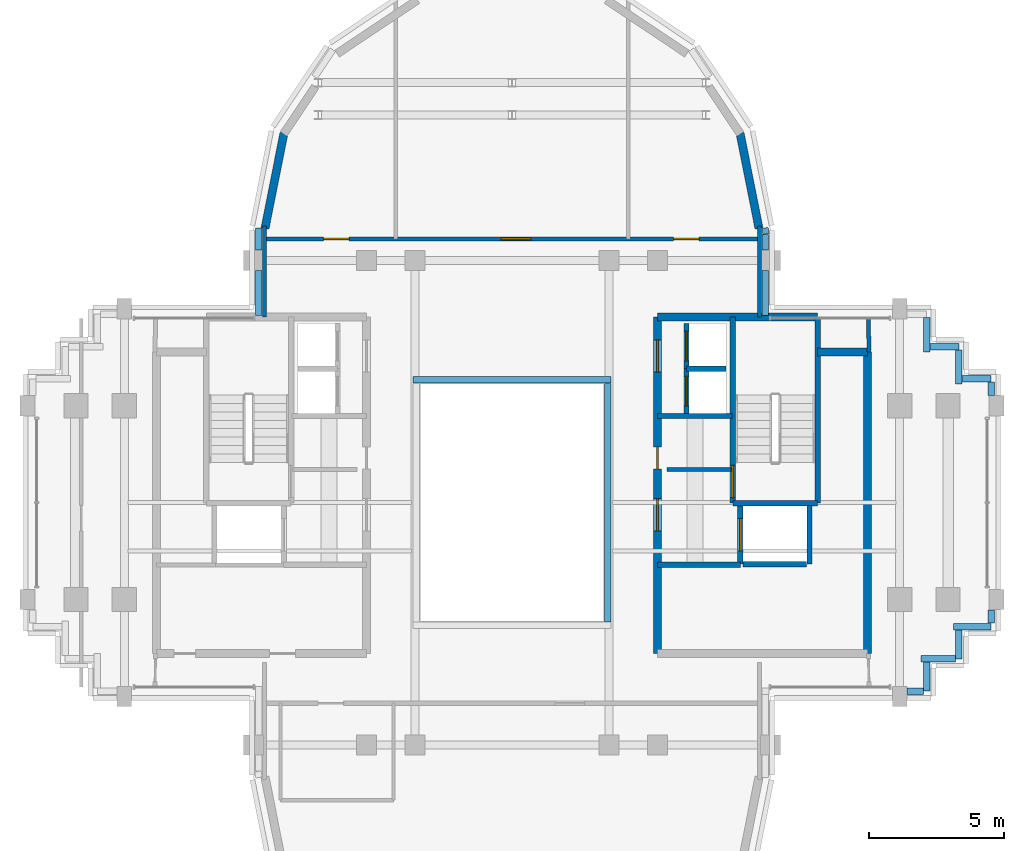
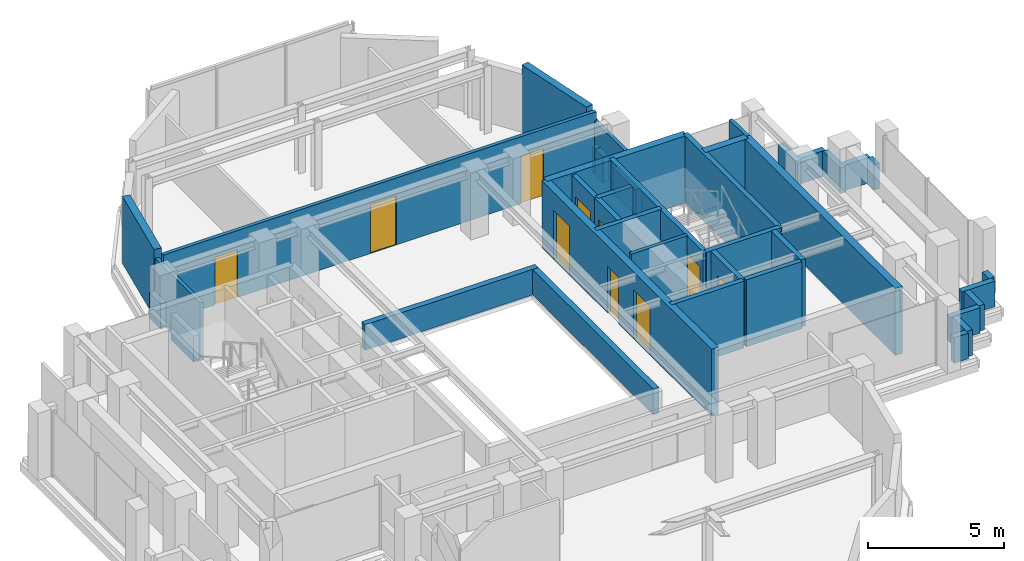
# One storey, part 9 of 12: 40 walls, 10 doors, 10 openings.
"""IFC4 building model written with IfcOpenShell, lengths in metres."""

from ifc_helpers import new_model, si_unit, direction, frame, frame_2d, origin, place, context, subcontext, project, spatial, rectangle, extrude, source, transform, mapped, material, layer, layer_set, type_object, element, fill, save


model = new_model("IFC4")

# Units and contexts
model_context = context("Model", 3, precision=1e-05, world=origin(), true_north=direction((0.0, 1.0)))
body_context = subcontext(model_context, "Body", "Model", "MODEL_VIEW")
ifc_project = project(units=[si_unit("LENGTHUNIT", "METRE"), si_unit("AREAUNIT", "SQUARE_METRE"), si_unit("VOLUMEUNIT", "CUBIC_METRE"), si_unit("PLANEANGLEUNIT", "RADIAN"), si_unit("MASSUNIT", "GRAM", prefix="KILO")], contexts=[model_context])

# Site, building, storey
site_placement = place(None, origin())
site = spatial("IfcSite", under=ifc_project, at=site_placement, CompositionType="ELEMENT")
building_placement = place(site_placement, origin())
building = spatial("IfcBuilding", under=site, at=building_placement, Name="Keilestroom Media Tower", CompositionType="ELEMENT")
storey_placement = place(building_placement, frame((0.0, 0.0, 249.199951171875)))
storey = spatial("IfcBuildingStorey", under=building, at=storey_placement, Name="L69", CompositionType="ELEMENT", Elevation=249.199951171875)

# Walls
ifc_material_1 = material(Name="Precast concrete C40/50", Category="concrete")
ifc_layer_1 = layer(ifc_material_1, 0.300048828125)
ifc_layer_set_1 = layer_set([ifc_layer_1], Name="Precast concrete C40/50")
wall_type_1 = type_object("IfcWallType", Name="Exterior-Masonry-Spandrel-Wall-300", PredefinedType="SOLIDWALL", material=ifc_layer_set_1)
for number, where, z_axis, x_axis, name in (
    (1, (9.1748046875, 10.185302734375, 0.0), (0.0, 0.0, 1.0), (-0.195114232679, 0.980780523974, 0.0), "L69 Lobe Facet Precast Frame Wall 01"),
    (2, (-8.470703125, 13.724609375, 0.0), (0.0, 0.0, 1.0), (-0.195114232679, -0.980780523974, 0.0), "L69 Lobe Facet Precast Frame Wall 06"),
):
    element("IfcWall", number, at=place(storey_placement, frame(where, z_axis=z_axis, x_axis=x_axis)), inside=storey, type_object=wall_type_1, Name=name, PredefinedType="SOLIDWALL", context=body_context, shape_type="SweptSolid", body=[
        extrude(rectangle(XDim=3.608642578125, YDim=0.300048828125, at=frame_2d((1.80419921875, 0.0))), origin(), (0.0, 0.0, 1.0), 3.010009765625),
    ])
ifc_material_2 = material(Name="Gypsum Plasterboard & Steel Stud", Category="steel")
ifc_layer_2 = layer(ifc_material_2, 0.14990234375)
ifc_layer_set_2 = layer_set([ifc_layer_2], Name="Gypsum Plasterboard & Steel Stud")
wall_type_2 = type_object("IfcWallType", Name="Interior-Partition-Wall-150", PredefinedType="PARTITIONING", material=ifc_layer_set_2)
wall_1_placement = place(storey_placement, frame((5.75, 1.239990234375, 0.0), z_axis=(0.0, 0.0, 1.0), x_axis=(1.0, 0.0, 0.0)))
element("IfcWall", 3, at=wall_1_placement, inside=storey, type_object=wall_type_2, Name="L69 Interior Wall WP-L69-FFE-TOP", PredefinedType="PARTITIONING", context=body_context, shape_type="SweptSolid", body=[
    extrude(rectangle(XDim=2.389892578125, YDim=0.14990234375, at=frame_2d((1.19482421875, 0.0))), origin(), (0.0, 0.0, 1.0), 3.010009765625),
])

# Wall, openings, doors
wall_2_placement = place(storey_placement, frame((-9.199951171875, 9.800048828125, 0.0), z_axis=(0.0, 0.0, 1.0), x_axis=(1.0, 0.0, 0.0)))
wall_2 = element("IfcWall", 4, at=wall_2_placement, inside=storey, type_object=wall_type_2, Name="L69 Interior Wall WP-L69-NL-BASE", PredefinedType="PARTITIONING", context=body_context, shape_type="SweptSolid", body=[
    extrude(rectangle(XDim=18.39990234375, YDim=0.14990234375, at=frame_2d((9.199951171875, 0.0))), origin(), (0.0, 0.0, 1.0), 3.010009765625),
])
opening_1_placement = place(wall_2_placement, frame((2.199951171875, 0.0, 0.0)))
opening_1 = element("IfcOpeningElement", 5, at=opening_1_placement, cuts=wall_2, Name="Opening DI-03", PredefinedType="OPENING", context=body_context, shape_type="SweptSolid", body=[
    extrude(rectangle(XDim=0.949951171875, YDim=2.14990234375, at=frame_2d((0.47509765625, 1.074951171875))), frame((0.0, 0.0849609375, 0.0), z_axis=(0.0, -1.0, 0.0), x_axis=(1.0, 0.0, 0.0)), (0.0, 0.0, 1.0), 0.169921875),
])
opening_2_placement = place(wall_2_placement, frame((8.800048828125, 0.0, 0.0)))
opening_2 = element("IfcOpeningElement", 6, at=opening_2_placement, cuts=wall_2, Name="Opening DI-04", PredefinedType="OPENING", context=body_context, shape_type="SweptSolid", body=[
    extrude(rectangle(XDim=1.10009765625, YDim=2.199951171875, at=frame_2d((0.550048828125, 1.10009765625))), frame((0.0, 0.0849609375, 0.0), z_axis=(0.0, -1.0, 0.0), x_axis=(1.0, 0.0, 0.0)), (0.0, 0.0, 1.0), 0.169921875),
])
opening_3_placement = place(wall_2_placement, frame((15.199951171875, 0.0, 0.0)))
opening_3 = element("IfcOpeningElement", 7, at=opening_3_placement, cuts=wall_2, Name="Opening DI-03", PredefinedType="OPENING", context=body_context, shape_type="SweptSolid", body=[
    extrude(rectangle(XDim=0.949951171875, YDim=2.14990234375, at=frame_2d((0.47509765625, 1.074951171875))), frame((0.0, 0.0849609375, 0.0), z_axis=(0.0, -1.0, 0.0), x_axis=(1.0, 0.0, 0.0)), (0.0, 0.0, 1.0), 0.169921875),
])
ifc_material_3 = material(Name="Lacquered European Oak Leaf", Category="wood")
door_type_1 = type_object("IfcDoorType", Name="Interior-Room-And-Suite-Door-DI-03", OperationType="NOTDEFINED", PredefinedType="DOOR", material=ifc_material_3)
shared_shape_1 = source(origin(), body_context, "Body", "SweptSolid", [
    extrude(rectangle(XDim=0.949951171875, YDim=2.14990234375, at=frame_2d((0.47509765625, 1.074951171875))), frame((0.0, 0.02490234375, 0.0), z_axis=(0.0, -1.0, 0.0), x_axis=(1.0, 0.0, 0.0)), (0.0, 0.0, 1.0), 0.050048828125),
])
door_1_placement = place(opening_1_placement, origin())
door_1 = element("IfcDoor", 8, at=door_1_placement, inside=storey, type_object=door_type_1, Name="L69 Interior Door DI-L69-DNL-W", OperationType="SINGLE_SWING_LEFT", OverallHeight=2.14990234375, OverallWidth=0.949951171875, PredefinedType="DOOR", context=body_context, shape_type="MappedRepresentation", body=[
    mapped(shared_shape_1, transform((0.0, 0.0, 0.0), x_axis=(1.0, 0.0, 0.0), y_axis=(0.0, 1.0, 0.0), z_axis=(0.0, 0.0, 1.0), scale=1.0)),
])
fill(opening_1, door_1)
door_2_placement = place(opening_3_placement, origin())
door_2 = element("IfcDoor", 9, at=door_2_placement, inside=storey, type_object=door_type_1, Name="L69 Interior Door DI-L69-DNL-E", OperationType="SINGLE_SWING_LEFT", OverallHeight=2.14990234375, OverallWidth=0.949951171875, PredefinedType="DOOR", context=body_context, shape_type="MappedRepresentation", body=[
    mapped(shared_shape_1, transform((0.0, 0.0, 0.0), x_axis=(1.0, 0.0, 0.0), y_axis=(0.0, 1.0, 0.0), z_axis=(0.0, 0.0, 1.0), scale=1.0)),
])
fill(opening_3, door_2)
ifc_material_4 = material(Name="Acoustic Glazed Aluminium Leaf", Category="aluminium")
door_type_2 = type_object("IfcDoorType", Name="Interior-Room-And-Suite-Door-DI-04", OperationType="NOTDEFINED", PredefinedType="DOOR", material=ifc_material_4)
shared_shape_2 = source(origin(), body_context, "Body", "SweptSolid", [
    extrude(rectangle(XDim=1.10009765625, YDim=2.199951171875, at=frame_2d((0.550048828125, 1.10009765625))), frame((0.0, 0.02490234375, 0.0), z_axis=(0.0, -1.0, 0.0), x_axis=(1.0, 0.0, 0.0)), (0.0, 0.0, 1.0), 0.050048828125),
])
door_3_placement = place(opening_2_placement, origin())
door_3 = element("IfcDoor", 10, at=door_3_placement, inside=storey, type_object=door_type_2, Name="L69 Interior Door DI-L69-DNL-C", OperationType="SINGLE_SWING_RIGHT", OverallHeight=2.199951171875, OverallWidth=1.10009765625, PredefinedType="DOOR", context=body_context, shape_type="MappedRepresentation", body=[
    mapped(shared_shape_2, transform((0.0, 0.0, 0.0), x_axis=(1.0, 0.0, 0.0), y_axis=(0.0, 1.0, 0.0), z_axis=(0.0, 0.0, 1.0), scale=1.0)),
])
fill(opening_2, door_3)

# Walls
for number, where, z_axis, x_axis, name in (
    (11, (-9.199951171875, 6.89990234375, 0.0), (0.0, 0.0, 1.0), (0.0, 1.0, 0.0), "L69 Interior Wall WP-L69-NL-CHKW"),
    (12, (9.199951171875, 6.89990234375, 0.0), (0.0, 0.0, 1.0), (0.0, 1.0, 0.0), "L69 Interior Wall WP-L69-NL-CHKE"),
):
    element("IfcWall", number, at=place(storey_placement, frame(where, z_axis=z_axis, x_axis=x_axis)), inside=storey, type_object=wall_type_2, Name=name, PredefinedType="PARTITIONING", context=body_context, shape_type="SweptSolid", body=[
        extrude(rectangle(XDim=3.380126953125, YDim=0.14990234375, at=frame_2d((1.68994140625, 0.0))), origin(), (0.0, 0.0, 1.0), 2.610107421875),
    ])
wall_3_placement = place(storey_placement, frame((13.260009765625, 5.60009765625, 0.0), z_axis=(0.0, 0.0, 1.0), x_axis=(-0.016013571389, 0.999871774545, 0.0)))
element("IfcWall", 13, at=wall_3_placement, inside=storey, type_object=wall_type_2, Name="L69 Interior Wall WP-L69-EA-ENTN", PredefinedType="PARTITIONING", context=body_context, shape_type="SweptSolid", body=[
    extrude(rectangle(XDim=1.250244140625, YDim=0.14990234375, at=frame_2d((0.625, 0.0))), origin(), (0.0, 0.0, 1.0), 3.010009765625),
])
ifc_material_5 = material(Name="Concrete C50/60", Category="concrete")
ifc_layer_3 = layer(ifc_material_5, 0.300048828125)
ifc_layer_set_3 = layer_set([ifc_layer_3], Name="Concrete C50/60")
wall_type_3 = type_object("IfcWallType", Name="Reinforced-Concrete-Core-Shear-Wall-300", PredefinedType="SHEAR", material=ifc_layer_set_3)
wall_4_placement = place(storey_placement, frame((13.199951171875, -5.60009765625, 0.0), z_axis=(0.0, 0.0, 1.0), x_axis=(0.0, 1.0, 0.0)))
element("IfcWall", 14, at=wall_4_placement, inside=storey, type_object=wall_type_3, Name="L69 Core Shear Wall WL-L69-CORE-E-OUT", PredefinedType="SHEAR", context=body_context, shape_type="SweptSolid", body=[
    extrude(rectangle(XDim=11.2001953125, YDim=0.300048828125, at=frame_2d((5.60009765625, 0.0))), origin(), (0.0, 0.0, 1.0), 3.010009765625),
])

# Wall, openings, doors
wall_5_placement = place(storey_placement, frame((5.39990234375, -5.60009765625, 0.0), z_axis=(0.0, 0.0, 1.0), x_axis=(0.0, 1.0, 0.0)))
wall_5 = element("IfcWall", 15, at=wall_5_placement, inside=storey, type_object=wall_type_3, Name="L69 Core Shear Wall WL-L69-CORE-E-IN", PredefinedType="SHEAR", context=body_context, shape_type="SweptSolid", body=[
    extrude(rectangle(XDim=12.5, YDim=0.300048828125, at=frame_2d((6.25, 0.0))), origin(), (0.0, 0.0, 1.0), 3.010009765625),
])
opening_4_placement = place(wall_5_placement, frame((4.550048828125, 0.0, 0.0)))
opening_4 = element("IfcOpeningElement", 16, at=opening_4_placement, cuts=wall_5, Name="Opening DI-02", PredefinedType="OPENING", context=body_context, shape_type="SweptSolid", body=[
    extrude(rectangle(XDim=1.199951171875, YDim=2.199951171875, at=frame_2d((0.60009765625, 1.10009765625))), frame((0.0, 0.16015625, 0.0), z_axis=(0.0, -1.0, 0.0), x_axis=(1.0, 0.0, 0.0)), (0.0, 0.0, 1.0), 0.320068359375),
])
opening_5_placement = place(wall_5_placement, frame((10.449951171875, 0.0, 0.0)))
opening_5 = element("IfcOpeningElement", 17, at=opening_5_placement, cuts=wall_5, Name="Opening DI-02", PredefinedType="OPENING", context=body_context, shape_type="SweptSolid", body=[
    extrude(rectangle(XDim=1.199951171875, YDim=2.199951171875, at=frame_2d((0.60009765625, 1.10009765625))), frame((0.0, 0.16015625, 0.0), z_axis=(0.0, -1.0, 0.0), x_axis=(1.0, 0.0, 0.0)), (0.0, 0.0, 1.0), 0.320068359375),
])
opening_6_placement = place(wall_5_placement, frame((6.860107421875, 0.0, 0.0)))
opening_6 = element("IfcOpeningElement", 18, at=opening_6_placement, cuts=wall_5, Name="Opening DI-06", PredefinedType="OPENING", context=body_context, shape_type="SweptSolid", body=[
    extrude(rectangle(XDim=0.800048828125, YDim=2.10009765625, at=frame_2d((0.39990234375, 1.050048828125))), frame((0.0, 0.16015625, 0.0), z_axis=(0.0, -1.0, 0.0), x_axis=(1.0, 0.0, 0.0)), (0.0, 0.0, 1.0), 0.320068359375),
])
ifc_material_6 = material(Name="Powder-Coated Steel Fire Leaf", Category="steel")
door_type_3 = type_object("IfcDoorType", Name="Interior-Compartment-Fire-Door-DI-02", OperationType="NOTDEFINED", PredefinedType="DOOR", material=ifc_material_6)
shared_shape_3 = source(origin(), body_context, "Body", "SweptSolid", [
    extrude(rectangle(XDim=1.199951171875, YDim=2.199951171875, at=frame_2d((0.60009765625, 1.10009765625))), frame((0.0, 0.02490234375, 0.0), z_axis=(0.0, -1.0, 0.0), x_axis=(1.0, 0.0, 0.0)), (0.0, 0.0, 1.0), 0.050048828125),
])
door_4_placement = place(opening_4_placement, origin())
door_4 = element("IfcDoor", 19, at=door_4_placement, inside=storey, type_object=door_type_3, Name="L69 E Firefighting Lobby Door", OperationType="SINGLE_SWING_LEFT", OverallHeight=2.199951171875, OverallWidth=1.199951171875, PredefinedType="DOOR", context=body_context, shape_type="MappedRepresentation", body=[
    mapped(shared_shape_3, transform((0.0, 0.0, 0.0), x_axis=(1.0, 0.0, 0.0), y_axis=(0.0, 1.0, 0.0), z_axis=(0.0, 0.0, 1.0), scale=1.0)),
])
fill(opening_4, door_4)
door_5_placement = place(opening_5_placement, origin())
door_5 = element("IfcDoor", 20, at=door_5_placement, inside=storey, type_object=door_type_3, Name="L69 E High-Rise Lift Lobby Door", OperationType="SINGLE_SWING_RIGHT", OverallHeight=2.199951171875, OverallWidth=1.199951171875, PredefinedType="DOOR", context=body_context, shape_type="MappedRepresentation", body=[
    mapped(shared_shape_3, transform((0.0, 0.0, 0.0), x_axis=(1.0, 0.0, 0.0), y_axis=(0.0, 1.0, 0.0), z_axis=(0.0, 0.0, 1.0), scale=1.0)),
])
fill(opening_5, door_5)
ifc_material_7 = material(Name="Powder-Coated Steel Service Leaf", Category="steel")
door_type_4 = type_object("IfcDoorType", Name="Interior-Riser-Access-Door-DI-06", OperationType="NOTDEFINED", PredefinedType="DOOR", material=ifc_material_7)
shared_shape_4 = source(origin(), body_context, "Body", "SweptSolid", [
    extrude(rectangle(XDim=0.800048828125, YDim=2.10009765625, at=frame_2d((0.39990234375, 1.050048828125))), frame((0.0, 0.02490234375, 0.0), z_axis=(0.0, -1.0, 0.0), x_axis=(1.0, 0.0, 0.0)), (0.0, 0.0, 1.0), 0.050048828125),
])
door_6_placement = place(opening_6_placement, origin())
door_6 = element("IfcDoor", 21, at=door_6_placement, inside=storey, type_object=door_type_4, Name="L69 East Core Telecom Door", OperationType="SINGLE_SWING_RIGHT", OverallHeight=2.10009765625, OverallWidth=0.800048828125, PredefinedType="DOOR", context=body_context, shape_type="MappedRepresentation", body=[
    mapped(shared_shape_4, transform((0.0, 0.0, 0.0), x_axis=(1.0, 0.0, 0.0), y_axis=(0.0, 1.0, 0.0), z_axis=(0.0, 0.0, 1.0), scale=1.0)),
])
fill(opening_6, door_6)

# Walls
wall_6_placement = place(storey_placement, frame((5.39990234375, 6.89990234375, 0.0), z_axis=(0.0, 0.0, 1.0), x_axis=(1.0, 0.0, 0.0)))
element("IfcWall", 22, at=wall_6_placement, inside=storey, type_object=wall_type_3, Name="L69 Core Shear Wall WL-L69-CORE-E-N", PredefinedType="SHEAR", context=body_context, shape_type="SweptSolid", body=[
    extrude(rectangle(XDim=5.9560546875, YDim=0.300048828125, at=frame_2d((2.97802734375, 0.0))), origin(), (0.0, 0.0, 1.0), 3.010009765625),
])
wall_7_placement = place(storey_placement, frame((11.35595703125, 5.60009765625, 0.0), z_axis=(0.0, 0.0, 1.0), x_axis=(1.0, 0.0, 0.0)))
element("IfcWall", 23, at=wall_7_placement, inside=storey, type_object=wall_type_3, Name="L69 Core Shear Wall WL-L69-CNE-N", PredefinedType="SHEAR", context=body_context, shape_type="SweptSolid", body=[
    extrude(rectangle(XDim=1.843994140625, YDim=0.300048828125, at=frame_2d((0.921875, 0.0))), origin(), (0.0, 0.0, 1.0), 3.010009765625),
])
ifc_layer_4 = layer(ifc_material_5, 0.199951171875)
ifc_layer_set_4 = layer_set([ifc_layer_4], Name="Concrete C50/60")
wall_type_4 = type_object("IfcWallType", Name="Reinforced-Concrete-Shaft-Wall-200", PredefinedType="SOLIDWALL", material=ifc_layer_set_4)
wall_8_placement = place(storey_placement, frame((5.39990234375, 3.219970703125, 0.0), z_axis=(0.0, 0.0, 1.0), x_axis=(1.0, 0.0, 0.0)))
element("IfcWall", 24, at=wall_8_placement, inside=storey, type_object=wall_type_4, Name="L69 Core Shear Wall WL-L69-CORE-E-FFN", PredefinedType="SOLIDWALL", context=body_context, shape_type="SweptSolid", body=[
    extrude(rectangle(XDim=2.780029296875, YDim=0.199951171875, at=frame_2d((1.39013671875, 0.0))), origin(), (0.0, 0.0, 1.0), 3.010009765625),
])
wall_9_placement = place(storey_placement, frame((5.39990234375, -2.300048828125, 0.0), z_axis=(0.0, 0.0, 1.0), x_axis=(1.0, 0.0, 0.0)))
element("IfcWall", 25, at=wall_9_placement, inside=storey, type_object=wall_type_4, Name="L69 Core Shear Wall WL-L69-CORE-E-FFS", PredefinedType="SOLIDWALL", context=body_context, shape_type="SweptSolid", body=[
    extrude(rectangle(XDim=3.080078125, YDim=0.199951171875, at=frame_2d((1.5400390625, 0.0))), origin(), (0.0, 0.0, 1.0), 3.010009765625),
])

# Wall, opening, door
wall_10_placement = place(storey_placement, frame((8.2041015625, -0.01611328125, 0.0), z_axis=(0.0, 0.0, 1.0), x_axis=(0.0, 1.0, 0.0)))
wall_10 = element("IfcWall", 26, at=wall_10_placement, inside=storey, type_object=wall_type_4, Name="L69 Core Shear Wall WL-L69-STW-E-NEAR", PredefinedType="SOLIDWALL", context=body_context, shape_type="SweptSolid", body=[
    extrude(rectangle(XDim=6.916015625, YDim=0.199951171875, at=frame_2d((3.4580078125, 0.0))), origin(), (0.0, 0.0, 1.0), 3.010009765625),
])
opening_7_placement = place(wall_10_placement, frame((0.199951171875, 0.0, 0.0)))
opening_7 = element("IfcOpeningElement", 27, at=opening_7_placement, cuts=wall_10, Name="Opening DI-01S", PredefinedType="OPENING", context=body_context, shape_type="SweptSolid", body=[
    extrude(rectangle(XDim=1.199951171875, YDim=2.199951171875, at=frame_2d((0.60009765625, 1.10009765625))), frame((0.0, 0.10986328125, 0.0), z_axis=(0.0, -1.0, 0.0), x_axis=(1.0, 0.0, 0.0)), (0.0, 0.0, 1.0), 0.219970703125),
])
door_type_5 = type_object("IfcDoorType", Name="Interior-Stair-And-Core-Fire-Door-DI-01", OperationType="NOTDEFINED", PredefinedType="DOOR", material=ifc_material_6)
door_7_placement = place(opening_7_placement, origin())
door_7 = element("IfcDoor", 28, at=door_7_placement, inside=storey, type_object=door_type_5, Name="L69 Escape Stair ST-2 Fire Door", OperationType="SINGLE_SWING_RIGHT", OverallHeight=2.199951171875, OverallWidth=1.199951171875, PredefinedType="DOOR", context=body_context, shape_type="MappedRepresentation", body=[
    mapped(shared_shape_3, transform((0.0, 0.0, 0.0), x_axis=(1.0, 0.0, 0.0), y_axis=(0.0, 1.0, 0.0), z_axis=(0.0, 0.0, 1.0), scale=1.0)),
])
fill(opening_7, door_7)

# Walls
wall_11_placement = place(storey_placement, frame((11.35595703125, -0.01611328125, 0.0), z_axis=(0.0, 0.0, 1.0), x_axis=(0.0, 1.0, 0.0)))
element("IfcWall", 29, at=wall_11_placement, inside=storey, type_object=wall_type_4, Name="L69 Core Shear Wall WL-L69-STW-E-FAR", PredefinedType="SOLIDWALL", context=body_context, shape_type="SweptSolid", body=[
    extrude(rectangle(XDim=6.916015625, YDim=0.199951171875, at=frame_2d((3.4580078125, 0.0))), origin(), (0.0, 0.0, 1.0), 3.010009765625),
])
wall_12_placement = place(storey_placement, frame((8.2041015625, -0.01611328125, 0.0), z_axis=(0.0, 0.0, 1.0), x_axis=(1.0, 0.0, 0.0)))
element("IfcWall", 30, at=wall_12_placement, inside=storey, type_object=wall_type_4, Name="L69 Core Shear Wall WL-L69-STW-E-S", PredefinedType="SOLIDWALL", context=body_context, shape_type="SweptSolid", body=[
    extrude(rectangle(XDim=3.15185546875, YDim=0.199951171875, at=frame_2d((1.575927734375, 0.0))), origin(), (0.0, 0.0, 1.0), 3.010009765625),
])

# Wall, opening, door
wall_13_placement = place(storey_placement, frame((8.47998046875, -2.280029296875, 0.0), z_axis=(0.0, 0.0, 1.0), x_axis=(0.0, 1.0, 0.0)))
wall_13 = element("IfcWall", 31, at=wall_13_placement, inside=storey, type_object=wall_type_4, Name="L69 Core Shear Wall WL-L69-LSH-FFL-2-W", PredefinedType="SOLIDWALL", context=body_context, shape_type="SweptSolid", body=[
    extrude(rectangle(XDim=2.179931640625, YDim=0.199951171875, at=frame_2d((1.08984375, 0.0))), origin(), (0.0, 0.0, 1.0), 3.010009765625),
])
opening_8_placement = place(wall_13_placement, frame((0.489990234375, 0.0, 0.0)))
opening_8 = element("IfcOpeningElement", 32, at=opening_8_placement, cuts=wall_13, Name="Opening LD-02", PredefinedType="OPENING", context=body_context, shape_type="SweptSolid", body=[
    extrude(rectangle(XDim=1.199951171875, YDim=2.199951171875, at=frame_2d((0.60009765625, 1.10009765625))), frame((0.0, 0.10986328125, 0.0), z_axis=(0.0, -1.0, 0.0), x_axis=(1.0, 0.0, 0.0)), (0.0, 0.0, 1.0), 0.219970703125),
])
ifc_material_8 = material(Name="Brushed Stainless Steel Sliding Leaf", Category="steel")
door_type_6 = type_object("IfcDoorType", Name="Lift-Landing-Sliding-Door-LD-02", OperationType="SLIDING_TO_RIGHT", PredefinedType="DOOR", material=ifc_material_8)
door_8_placement = place(opening_8_placement, origin())
door_8 = element("IfcDoor", 33, at=door_8_placement, inside=storey, type_object=door_type_6, Name="L69 Lift FFL-2 Landing Sliding Door", OperationType="SLIDING_TO_RIGHT", OverallHeight=2.199951171875, OverallWidth=1.199951171875, PredefinedType="DOOR", context=body_context, shape_type="MappedRepresentation", body=[
    mapped(shared_shape_3, transform((0.0, 0.0, 0.0), x_axis=(1.0, 0.0, 0.0), y_axis=(0.0, 1.0, 0.0), z_axis=(0.0, 0.0, 1.0), scale=1.0)),
])
fill(opening_8, door_8)

# Walls
wall_14_placement = place(storey_placement, frame((11.050048828125, -2.280029296875, 0.0), z_axis=(0.0, 0.0, 1.0), x_axis=(0.0, 1.0, 0.0)))
element("IfcWall", 34, at=wall_14_placement, inside=storey, type_object=wall_type_4, Name="L69 Core Shear Wall WL-L69-LSH-FFL-2-E", PredefinedType="SOLIDWALL", context=body_context, shape_type="SweptSolid", body=[
    extrude(rectangle(XDim=2.179931640625, YDim=0.199951171875, at=frame_2d((1.08984375, 0.0))), origin(), (0.0, 0.0, 1.0), 3.010009765625),
])
wall_15_placement = place(storey_placement, frame((8.583984375, -2.280029296875, 0.0), z_axis=(0.0, 0.0, 1.0), x_axis=(1.0, 0.0, 0.0)))
element("IfcWall", 35, at=wall_15_placement, inside=storey, type_object=wall_type_4, Name="L69 Core Shear Wall WL-L69-LSH-FFL-2-S", PredefinedType="SOLIDWALL", context=body_context, shape_type="SweptSolid", body=[
    extrude(rectangle(XDim=2.362060546875, YDim=0.199951171875, at=frame_2d((1.18115234375, 0.0))), origin(), (0.0, 0.0, 1.0), 3.010009765625),
])

# Wall, opening, door
wall_16_placement = place(storey_placement, frame((6.47998046875, 3.300048828125, 0.0), z_axis=(0.0, 0.0, 1.0), x_axis=(0.0, 1.0, 0.0)))
wall_16 = element("IfcWall", 36, at=wall_16_placement, inside=storey, type_object=wall_type_4, Name="L69 Core Shear Wall WL-L69-LSH-PL-H3-W", PredefinedType="SOLIDWALL", context=body_context, shape_type="SweptSolid", body=[
    extrude(rectangle(XDim=1.679931640625, YDim=0.199951171875, at=frame_2d((0.83984375, 0.0))), origin(), (0.0, 0.0, 1.0), 3.010009765625),
])
opening_9_placement = place(wall_16_placement, frame((0.2900390625, 0.0, 0.0)))
opening_9 = element("IfcOpeningElement", 37, at=opening_9_placement, cuts=wall_16, Name="Opening LD-01", PredefinedType="OPENING", context=body_context, shape_type="SweptSolid", body=[
    extrude(rectangle(XDim=1.10009765625, YDim=2.199951171875, at=frame_2d((0.550048828125, 1.10009765625))), frame((0.0, 0.10986328125, 0.0), z_axis=(0.0, -1.0, 0.0), x_axis=(1.0, 0.0, 0.0)), (0.0, 0.0, 1.0), 0.219970703125),
])
door_type_7 = type_object("IfcDoorType", Name="Lift-Landing-Sliding-Door-LD-01", OperationType="SLIDING_TO_LEFT", PredefinedType="DOOR", material=ifc_material_8)
door_9_placement = place(opening_9_placement, origin())
door_9 = element("IfcDoor", 38, at=door_9_placement, inside=storey, type_object=door_type_7, Name="L69 Lift PL-H3 Landing Sliding Door", OperationType="SLIDING_TO_LEFT", OverallHeight=2.199951171875, OverallWidth=1.10009765625, PredefinedType="DOOR", context=body_context, shape_type="MappedRepresentation", body=[
    mapped(shared_shape_2, transform((0.0, 0.0, 0.0), x_axis=(1.0, 0.0, 0.0), y_axis=(0.0, 1.0, 0.0), z_axis=(0.0, 0.0, 1.0), scale=1.0)),
])
fill(opening_9, door_9)

# Wall
wall_17_placement = place(storey_placement, frame((6.47998046875, 4.97998046875, 0.0), z_axis=(0.0, 0.0, 1.0), x_axis=(1.0, 0.0, 0.0)))
element("IfcWall", 39, at=wall_17_placement, inside=storey, type_object=wall_type_4, Name="L69 Core Shear Wall WL-L69-LSH-PL-H3-N", PredefinedType="SOLIDWALL", context=body_context, shape_type="SweptSolid", body=[
    extrude(rectangle(XDim=1.469970703125, YDim=0.199951171875, at=frame_2d((0.73486328125, 0.0))), origin(), (0.0, 0.0, 1.0), 3.010009765625),
])

# Wall, opening, door
wall_18_placement = place(storey_placement, frame((6.47998046875, 4.97998046875, 0.0), z_axis=(0.0, 0.0, 1.0), x_axis=(0.0, 1.0, 0.0)))
wall_18 = element("IfcWall", 40, at=wall_18_placement, inside=storey, type_object=wall_type_4, Name="L69 Core Shear Wall WL-L69-LSH-PL-H4-W", PredefinedType="SOLIDWALL", context=body_context, shape_type="SweptSolid", body=[
    extrude(rectangle(XDim=1.669921875, YDim=0.199951171875, at=frame_2d((0.8349609375, 0.0))), origin(), (0.0, 0.0, 1.0), 3.010009765625),
])
opening_10_placement = place(wall_18_placement, frame((0.284912109375, 0.0, 0.0)))
opening_10 = element("IfcOpeningElement", 41, at=opening_10_placement, cuts=wall_18, Name="Opening LD-01", PredefinedType="OPENING", context=body_context, shape_type="SweptSolid", body=[
    extrude(rectangle(XDim=1.10009765625, YDim=2.199951171875, at=frame_2d((0.550048828125, 1.10009765625))), frame((0.0, 0.10986328125, 0.0), z_axis=(0.0, -1.0, 0.0), x_axis=(1.0, 0.0, 0.0)), (0.0, 0.0, 1.0), 0.219970703125),
])
door_10_placement = place(opening_10_placement, origin())
door_10 = element("IfcDoor", 42, at=door_10_placement, inside=storey, type_object=door_type_7, Name="L69 Lift PL-H4 Landing Sliding Door", OperationType="SLIDING_TO_LEFT", OverallHeight=2.199951171875, OverallWidth=1.10009765625, PredefinedType="DOOR", context=body_context, shape_type="MappedRepresentation", body=[
    mapped(shared_shape_2, transform((0.0, 0.0, 0.0), x_axis=(1.0, 0.0, 0.0), y_axis=(0.0, 1.0, 0.0), z_axis=(0.0, 0.0, 1.0), scale=1.0)),
])
fill(opening_10, door_10)

# Walls
ifc_layer_5 = layer(ifc_material_1, 0.239990234375)
ifc_layer_set_5 = layer_set([ifc_layer_5], Name="Precast concrete C40/50")
wall_type_5 = type_object("IfcWallType", Name="Roof-And-Terrace-Parapet-Wall-240", PredefinedType="PARAPET", material=ifc_layer_set_5)
wall_19_placement = place(storey_placement, frame((17.800048828125, -4.60009765625, 0.0), z_axis=(0.0, 0.0, 1.0), x_axis=(-1.0, 0.0, 0.0)))
element("IfcWall", 43, at=wall_19_placement, inside=storey, type_object=wall_type_5, Name="L69 Perimeter Edge Parapet Wall 01", PredefinedType="PARAPET", context=body_context, shape_type="SweptSolid", body=[
    extrude(rectangle(XDim=1.400146484375, YDim=0.239990234375, at=frame_2d((0.7001953125, 0.0))), origin(), (0.0, 0.0, 1.0), 1.150146484375),
])
wall_20_placement = place(storey_placement, frame((16.60009765625, -4.722900390625, 0.0), z_axis=(0.0, 0.0, 1.0), x_axis=(0.0, -1.0, 0.0)))
element("IfcWall", 44, at=wall_20_placement, inside=storey, type_object=wall_type_5, Name="L69 Perimeter Edge Parapet Wall 02", PredefinedType="PARAPET", context=body_context, shape_type="SweptSolid", body=[
    extrude(rectangle(XDim=1.0771484375, YDim=0.239990234375, at=frame_2d((0.53857421875, 0.0))), origin(), (0.0, 0.0, 1.0), 1.150146484375),
])
wall_21_placement = place(storey_placement, frame((16.47705078125, -5.800048828125, 0.0), z_axis=(0.0, 0.0, 1.0), x_axis=(-1.0, 0.0, 0.0)))
element("IfcWall", 45, at=wall_21_placement, inside=storey, type_object=wall_type_5, Name="L69 Perimeter Edge Parapet Wall 03", PredefinedType="PARAPET", context=body_context, shape_type="SweptSolid", body=[
    extrude(rectangle(XDim=1.277099609375, YDim=0.239990234375, at=frame_2d((0.638671875, 0.0))), origin(), (0.0, 0.0, 1.0), 1.150146484375),
])
wall_22_placement = place(storey_placement, frame((15.39990234375, -5.923095703125, 0.0), z_axis=(0.0, 0.0, 1.0), x_axis=(0.0, -1.0, 0.0)))
element("IfcWall", 46, at=wall_22_placement, inside=storey, type_object=wall_type_5, Name="L69 Perimeter Edge Parapet Wall 04", PredefinedType="PARAPET", context=body_context, shape_type="SweptSolid", body=[
    extrude(rectangle(XDim=1.076904296875, YDim=0.239990234375, at=frame_2d((0.53857421875, 0.0))), origin(), (0.0, 0.0, 1.0), 1.150146484375),
])
wall_23_placement = place(storey_placement, frame((15.277099609375, -7.0, 0.0), z_axis=(0.0, 0.0, 1.0), x_axis=(-1.0, 0.0, 0.0)))
element("IfcWall", 47, at=wall_23_placement, inside=storey, type_object=wall_type_5, Name="L69 Perimeter Edge Parapet Wall 05", PredefinedType="PARAPET", context=body_context, shape_type="SweptSolid", body=[
    extrude(rectangle(XDim=0.59912109375, YDim=0.239990234375, at=frame_2d((0.299560546875, 0.0))), origin(), (0.0, 0.0, 1.0), 1.150146484375),
])
wall_24_placement = place(storey_placement, frame((-9.39990234375, 6.952880859375, 0.0), z_axis=(0.0, 0.0, 1.0), x_axis=(0.0, 1.0, 0.0)))
element("IfcWall", 48, at=wall_24_placement, inside=storey, type_object=wall_type_5, Name="L69 Perimeter Edge Parapet Wall 26", PredefinedType="PARAPET", context=body_context, shape_type="SweptSolid", body=[
    extrude(rectangle(XDim=1.669189453125, YDim=0.239990234375, at=frame_2d((0.83447265625, 0.0))), origin(), (0.0, 0.0, 1.0), 1.150146484375),
])
wall_25_placement = place(storey_placement, frame((-9.39990234375, 9.3779296875, 0.0), z_axis=(0.0, 0.0, 1.0), x_axis=(0.0, 1.0, 0.0)))
element("IfcWall", 49, at=wall_25_placement, inside=storey, type_object=wall_type_5, Name="L69 Perimeter Edge Parapet Wall 27", PredefinedType="PARAPET", context=body_context, shape_type="SweptSolid", body=[
    extrude(rectangle(XDim=0.824951171875, YDim=0.239990234375, at=frame_2d((0.41259765625, 0.0))), origin(), (0.0, 0.0, 1.0), 1.150146484375),
])
wall_26_placement = place(storey_placement, frame((9.395263671875, 10.2041015625, 0.0), z_axis=(0.0, 0.0, 1.0), x_axis=(0.194859894132, -0.980831087221, 0.0)))
element("IfcWall", 50, at=wall_26_placement, inside=storey, type_object=wall_type_5, Name="L69 Perimeter Edge Parapet Wall 30", PredefinedType="PARAPET", context=body_context, shape_type="SweptSolid", body=[
    extrude(rectangle(XDim=0.224365234375, YDim=0.239990234375, at=frame_2d((0.1123046875, 0.0))), origin(), (0.0, 0.0, 1.0), 1.150146484375),
])
wall_27_placement = place(storey_placement, frame((9.39990234375, 9.957763671875, 0.0), z_axis=(0.0, 0.0, 1.0), x_axis=(0.0, -1.0, 0.0)))
element("IfcWall", 51, at=wall_27_placement, inside=storey, type_object=wall_type_5, Name="L69 Perimeter Edge Parapet Wall 31", PredefinedType="PARAPET", context=body_context, shape_type="SweptSolid", body=[
    extrude(rectangle(XDim=0.579833984375, YDim=0.239990234375, at=frame_2d((0.2900390625, 0.0))), origin(), (0.0, 0.0, 1.0), 1.150146484375),
])
wall_28_placement = place(storey_placement, frame((9.39990234375, 8.6220703125, 0.0), z_axis=(0.0, 0.0, 1.0), x_axis=(0.0, -1.0, 0.0)))
element("IfcWall", 52, at=wall_28_placement, inside=storey, type_object=wall_type_5, Name="L69 Perimeter Edge Parapet Wall 32", PredefinedType="PARAPET", context=body_context, shape_type="SweptSolid", body=[
    extrude(rectangle(XDim=1.669189453125, YDim=0.239990234375, at=frame_2d((0.83447265625, 0.0))), origin(), (0.0, 0.0, 1.0), 1.150146484375),
])
wall_29_placement = place(storey_placement, frame((15.39990234375, 6.876953125, 0.0), z_axis=(0.0, 0.0, 1.0), x_axis=(0.0, -1.0, 0.0)))
element("IfcWall", 53, at=wall_29_placement, inside=storey, type_object=wall_type_5, Name="L69 Perimeter Edge Parapet Wall 34", PredefinedType="PARAPET", context=body_context, shape_type="SweptSolid", body=[
    extrude(rectangle(XDim=1.27685546875, YDim=0.239990234375, at=frame_2d((0.638427734375, 0.0))), origin(), (0.0, 0.0, 1.0), 1.150146484375),
])
wall_30_placement = place(storey_placement, frame((15.52294921875, 5.800048828125, 0.0), z_axis=(0.0, 0.0, 1.0), x_axis=(1.0, 0.0, 0.0)))
element("IfcWall", 54, at=wall_30_placement, inside=storey, type_object=wall_type_5, Name="L69 Perimeter Edge Parapet Wall 35", PredefinedType="PARAPET", context=body_context, shape_type="SweptSolid", body=[
    extrude(rectangle(XDim=1.0771484375, YDim=0.239990234375, at=frame_2d((0.53857421875, 0.0))), origin(), (0.0, 0.0, 1.0), 1.150146484375),
])
wall_31_placement = place(storey_placement, frame((16.60009765625, 5.677001953125, 0.0), z_axis=(0.0, 0.0, 1.0), x_axis=(0.0, -1.0, 0.0)))
element("IfcWall", 55, at=wall_31_placement, inside=storey, type_object=wall_type_5, Name="L69 Perimeter Edge Parapet Wall 36", PredefinedType="PARAPET", context=body_context, shape_type="SweptSolid", body=[
    extrude(rectangle(XDim=1.277099609375, YDim=0.239990234375, at=frame_2d((0.638671875, 0.0))), origin(), (0.0, 0.0, 1.0), 1.150146484375),
])
wall_32_placement = place(storey_placement, frame((16.722900390625, 4.60009765625, 0.0), z_axis=(0.0, 0.0, 1.0), x_axis=(1.0, 0.0, 0.0)))
element("IfcWall", 56, at=wall_32_placement, inside=storey, type_object=wall_type_5, Name="L69 Perimeter Edge Parapet Wall 37", PredefinedType="PARAPET", context=body_context, shape_type="SweptSolid", body=[
    extrude(rectangle(XDim=1.0771484375, YDim=0.239990234375, at=frame_2d((0.53857421875, 0.0))), origin(), (0.0, 0.0, 1.0), 1.150146484375),
])
for number, where, z_axis, x_axis, name in (
    (57, (17.800048828125, 4.47705078125, 0.0), (0.0, 0.0, 1.0), (0.0, -1.0, 0.0), "L69 Perimeter Edge Parapet Wall 38"),
    (58, (17.800048828125, -3.97802734375, 0.0), (0.0, 0.0, 1.0), (0.0, -1.0, 0.0), "L69 Perimeter Edge Parapet Wall 39"),
):
    element("IfcWall", number, at=place(storey_placement, frame(where, z_axis=z_axis, x_axis=x_axis)), inside=storey, type_object=wall_type_5, Name=name, PredefinedType="PARAPET", context=body_context, shape_type="SweptSolid", body=[
        extrude(rectangle(XDim=0.4990234375, YDim=0.239990234375, at=frame_2d((0.24951171875, 0.0))), origin(), (0.0, 0.0, 1.0), 1.150146484375),
    ])
wall_33_placement = place(storey_placement, frame((-3.679931640625, 4.56005859375, 0.0), z_axis=(0.0, 0.0, 1.0), x_axis=(1.0, 0.0, 0.0)))
element("IfcWall", 59, at=wall_33_placement, inside=storey, type_object=wall_type_5, Name="L69 Central Atrium Guard Parapet N", PredefinedType="PARAPET", context=body_context, shape_type="SweptSolid", body=[
    extrude(rectangle(XDim=7.35986328125, YDim=0.239990234375, at=frame_2d((3.679931640625, 0.0))), origin(), (0.0, 0.0, 1.0), 1.150146484375),
])
wall_34_placement = place(storey_placement, frame((3.56005859375, -4.43505859375, 0.0), z_axis=(0.0, 0.0, 1.0), x_axis=(0.0, 1.0, 0.0)))
element("IfcWall", 60, at=wall_34_placement, inside=storey, type_object=wall_type_5, Name="L69 Central Atrium Guard Parapet E", PredefinedType="PARAPET", context=body_context, shape_type="SweptSolid", body=[
    extrude(rectangle(XDim=8.8701171875, YDim=0.239990234375, at=frame_2d((4.43505859375, 0.0))), origin(), (0.0, 0.0, 1.0), 1.150146484375),
])

save(model, "model.ifc")
